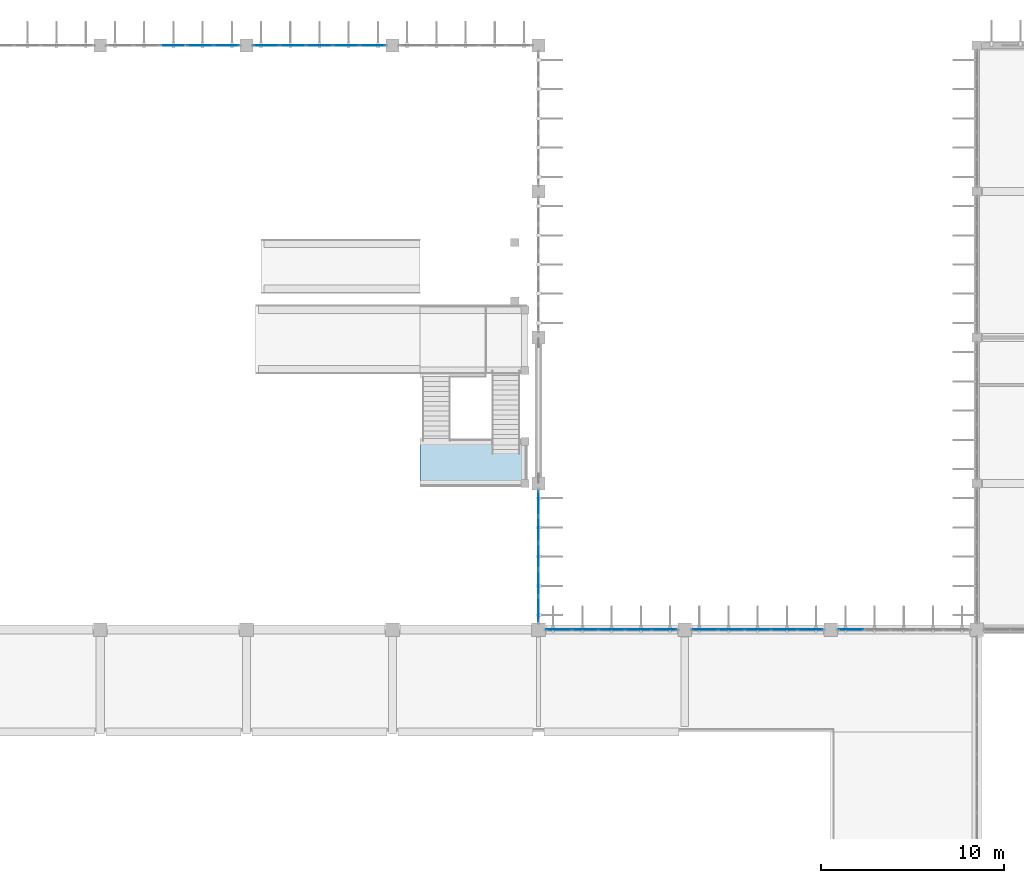
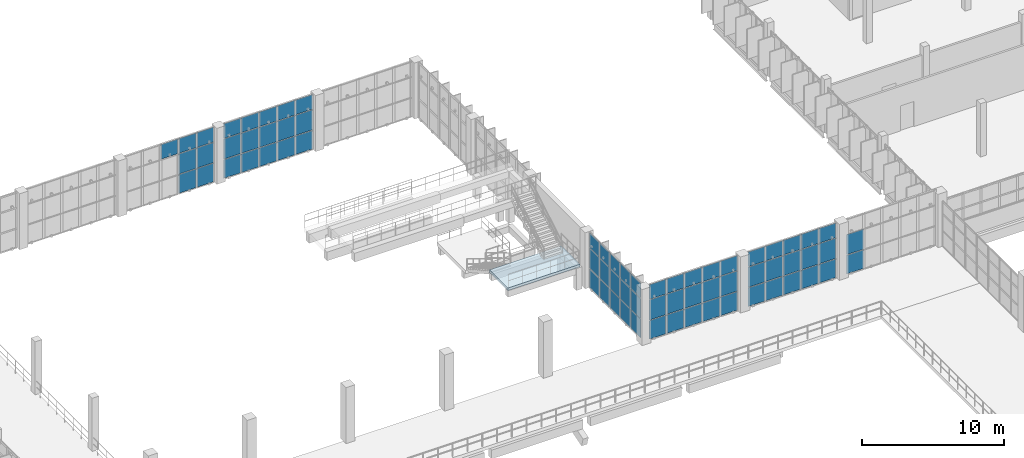
# One storey, part 56 of 93: 69 plates, 1 slab, 7 elements without a shape of their own.
"""IFC4 building model written with IfcOpenShell, lengths in metres."""

from ifc_helpers import new_model, si_unit, direction, frame, origin, origin_2d, place, context, subcontext, project, spatial, polyline, rectangle, outline, extrude, material, layer, layer_set, type_object, element, aggregate, save


model = new_model("IFC4")

# Units and contexts
model_context = context("Model", 3, precision=1e-05, world=origin(), true_north=direction((0.0, 1.0)))
body_context = subcontext(model_context, "Body", "Model", "MODEL_VIEW")
ifc_project = project(units=[si_unit("LENGTHUNIT", "METRE"), si_unit("AREAUNIT", "SQUARE_METRE"), si_unit("VOLUMEUNIT", "CUBIC_METRE"), si_unit("PLANEANGLEUNIT", "RADIAN"), si_unit("MASSUNIT", "GRAM", prefix="KILO")], contexts=[model_context])

# Site, building, storey
site_placement = place(None, origin())
site = spatial("IfcSite", under=ifc_project, at=site_placement, CompositionType="ELEMENT")
building_placement = place(site_placement, origin())
building = spatial("IfcBuilding", under=site, at=building_placement, Name="Drelvana Railside Aquatics Centre", CompositionType="ELEMENT")
storey_placement = place(building_placement, frame((0.0, 0.0, 5.39990234375)))
storey = spatial("IfcBuildingStorey", under=building, at=storey_placement, Name="L01", CompositionType="ELEMENT", Elevation=5.39990234375)

# Curtain wall, plates
ifc_material_1 = material(Name="Bronze-anodised aluminium curtain wall", Category="aluminium")
ifc_layer_1 = layer(ifc_material_1, 0.179931640625, Name="Bronze-anodised aluminium curtain wall")
ifc_layer_set_1 = layer_set([ifc_layer_1], Name="Bronze-anodised aluminium curtain wall")
curtain_wall_type_1 = type_object("IfcCurtainWallType", Name="CW-Z2-CLER", PredefinedType="NOTDEFINED", material=ifc_layer_set_1)
curtain_wall_1_placement = place(storey_placement, origin())
curtain_wall_1 = element("IfcCurtainWall", 1, at=curtain_wall_1_placement, inside=storey, type_object=curtain_wall_type_1, Name="Curtain wall CW-02-021", PredefinedType="NOTDEFINED")
ifc_material_2 = material(Name="Double-glazed low-e solar-control glass", Category="glass")
ifc_layer_2 = layer(ifc_material_2, 0.028076171875, Name="Double-glazed low-e solar-control glass")
ifc_layer_set_2 = layer_set([ifc_layer_2], Name="Double-glazed low-e solar-control glass")
plate_type_1 = type_object("IfcPlateType", Name="CW-Z2-CLER-PAN", PredefinedType="CURTAIN_PANEL", material=ifc_layer_set_2)
plate_1_placement = place(storey_placement, frame((73.11279296875, 84.0, 0.05419921875), z_axis=(0.0, 0.0, 1.0), x_axis=(1.0, 0.0, 0.0)))
plate_1 = element("IfcPlate", 2, at=plate_1_placement, type_object=plate_type_1, Name="CW-02 panel 1.1", PredefinedType="CURTAIN_PANEL", context=body_context, shape_type="SweptSolid", body=[
    extrude(rectangle(XDim=1.357421875, YDim=0.028076171875, at=origin_2d()), origin(), (0.0, 0.0, 1.0), 1.591552734375),
])
plate_2_placement = place(storey_placement, frame((73.11279296875, 84.0, 1.70068359375), z_axis=(0.0, 0.0, 1.0), x_axis=(1.0, 0.0, 0.0)))
plate_2 = element("IfcPlate", 3, at=plate_2_placement, type_object=plate_type_1, Name="CW-02 panel 1.2", PredefinedType="CURTAIN_PANEL", context=body_context, shape_type="SweptSolid", body=[
    extrude(rectangle(XDim=1.357421875, YDim=0.028076171875, at=origin_2d()), origin(), (0.0, 0.0, 1.0), 1.718994140625),
])
plate_3_placement = place(storey_placement, frame((73.11279296875, 84.0, 3.474609375), z_axis=(0.0, 0.0, 1.0), x_axis=(1.0, 0.0, 0.0)))
plate_3 = element("IfcPlate", 4, at=plate_3_placement, type_object=plate_type_1, Name="CW-02 panel 1.3", PredefinedType="CURTAIN_PANEL", context=body_context, shape_type="SweptSolid", body=[
    extrude(rectangle(XDim=1.357421875, YDim=0.028076171875, at=origin_2d()), origin(), (0.0, 0.0, 1.0), 1.255615234375),
])
plate_4_placement = place(storey_placement, frame((74.547607421875, 84.0, 0.05419921875), z_axis=(0.0, 0.0, 1.0), x_axis=(1.0, 0.0, 0.0)))
plate_4 = element("IfcPlate", 5, at=plate_4_placement, type_object=plate_type_1, Name="CW-02 panel 2.1", PredefinedType="CURTAIN_PANEL", context=body_context, shape_type="SweptSolid", body=[
    extrude(rectangle(XDim=1.392333984375, YDim=0.028076171875, at=origin_2d()), origin(), (0.0, 0.0, 1.0), 1.591552734375),
])
plate_5_placement = place(storey_placement, frame((74.547607421875, 84.0, 1.70068359375), z_axis=(0.0, 0.0, 1.0), x_axis=(1.0, 0.0, 0.0)))
plate_5 = element("IfcPlate", 6, at=plate_5_placement, type_object=plate_type_1, Name="CW-02 panel 2.2", PredefinedType="CURTAIN_PANEL", context=body_context, shape_type="SweptSolid", body=[
    extrude(rectangle(XDim=1.392333984375, YDim=0.028076171875, at=origin_2d()), origin(), (0.0, 0.0, 1.0), 1.718994140625),
])
plate_6_placement = place(storey_placement, frame((74.547607421875, 84.0, 3.474609375), z_axis=(0.0, 0.0, 1.0), x_axis=(1.0, 0.0, 0.0)))
plate_6 = element("IfcPlate", 7, at=plate_6_placement, type_object=plate_type_1, Name="CW-02 panel 2.3", PredefinedType="CURTAIN_PANEL", context=body_context, shape_type="SweptSolid", body=[
    extrude(rectangle(XDim=1.392333984375, YDim=0.028076171875, at=origin_2d()), origin(), (0.0, 0.0, 1.0), 1.255615234375),
])
plate_7_placement = place(storey_placement, frame((76.0, 84.0, 0.05419921875), z_axis=(0.0, 0.0, 1.0), x_axis=(1.0, 0.0, 0.0)))
plate_7 = element("IfcPlate", 8, at=plate_7_placement, type_object=plate_type_1, Name="CW-02 panel 3.1", PredefinedType="CURTAIN_PANEL", context=body_context, shape_type="SweptSolid", body=[
    extrude(rectangle(XDim=1.392333984375, YDim=0.028076171875, at=origin_2d()), origin(), (0.0, 0.0, 1.0), 1.591552734375),
])
plate_8_placement = place(storey_placement, frame((76.0, 84.0, 1.70068359375), z_axis=(0.0, 0.0, 1.0), x_axis=(1.0, 0.0, 0.0)))
plate_8 = element("IfcPlate", 9, at=plate_8_placement, type_object=plate_type_1, Name="CW-02 panel 3.2", PredefinedType="CURTAIN_PANEL", context=body_context, shape_type="SweptSolid", body=[
    extrude(rectangle(XDim=1.392333984375, YDim=0.028076171875, at=origin_2d()), origin(), (0.0, 0.0, 1.0), 1.718994140625),
])
plate_9_placement = place(storey_placement, frame((76.0, 84.0, 3.474609375), z_axis=(0.0, 0.0, 1.0), x_axis=(1.0, 0.0, 0.0)))
plate_9 = element("IfcPlate", 10, at=plate_9_placement, type_object=plate_type_1, Name="CW-02 panel 3.3", PredefinedType="CURTAIN_PANEL", context=body_context, shape_type="SweptSolid", body=[
    extrude(rectangle(XDim=1.392333984375, YDim=0.028076171875, at=origin_2d()), origin(), (0.0, 0.0, 1.0), 1.255615234375),
])
plate_10_placement = place(storey_placement, frame((77.452392578125, 84.0, 0.05419921875), z_axis=(0.0, 0.0, 1.0), x_axis=(1.0, 0.0, 0.0)))
plate_10 = element("IfcPlate", 11, at=plate_10_placement, type_object=plate_type_1, Name="CW-02 panel 4.1", PredefinedType="CURTAIN_PANEL", context=body_context, shape_type="SweptSolid", body=[
    extrude(rectangle(XDim=1.392333984375, YDim=0.028076171875, at=origin_2d()), origin(), (0.0, 0.0, 1.0), 1.591552734375),
])
plate_11_placement = place(storey_placement, frame((77.452392578125, 84.0, 1.70068359375), z_axis=(0.0, 0.0, 1.0), x_axis=(1.0, 0.0, 0.0)))
plate_11 = element("IfcPlate", 12, at=plate_11_placement, type_object=plate_type_1, Name="CW-02 panel 4.2", PredefinedType="CURTAIN_PANEL", context=body_context, shape_type="SweptSolid", body=[
    extrude(rectangle(XDim=1.392333984375, YDim=0.028076171875, at=origin_2d()), origin(), (0.0, 0.0, 1.0), 1.718994140625),
])
plate_12_placement = place(storey_placement, frame((77.452392578125, 84.0, 3.474609375), z_axis=(0.0, 0.0, 1.0), x_axis=(1.0, 0.0, 0.0)))
plate_12 = element("IfcPlate", 13, at=plate_12_placement, type_object=plate_type_1, Name="CW-02 panel 4.3", PredefinedType="CURTAIN_PANEL", context=body_context, shape_type="SweptSolid", body=[
    extrude(rectangle(XDim=1.392333984375, YDim=0.028076171875, at=origin_2d()), origin(), (0.0, 0.0, 1.0), 1.255615234375),
])
plate_13_placement = place(storey_placement, frame((78.88720703125, 84.0, 0.05419921875), z_axis=(0.0, 0.0, 1.0), x_axis=(1.0, 0.0, 0.0)))
plate_13 = element("IfcPlate", 14, at=plate_13_placement, type_object=plate_type_1, Name="CW-02 panel 5.1", PredefinedType="CURTAIN_PANEL", context=body_context, shape_type="SweptSolid", body=[
    extrude(rectangle(XDim=1.357421875, YDim=0.028076171875, at=origin_2d()), origin(), (0.0, 0.0, 1.0), 1.591552734375),
])
plate_14_placement = place(storey_placement, frame((78.88720703125, 84.0, 1.70068359375), z_axis=(0.0, 0.0, 1.0), x_axis=(1.0, 0.0, 0.0)))
plate_14 = element("IfcPlate", 15, at=plate_14_placement, type_object=plate_type_1, Name="CW-02 panel 5.2", PredefinedType="CURTAIN_PANEL", context=body_context, shape_type="SweptSolid", body=[
    extrude(rectangle(XDim=1.357421875, YDim=0.028076171875, at=origin_2d()), origin(), (0.0, 0.0, 1.0), 1.718994140625),
])
plate_15_placement = place(storey_placement, frame((78.88720703125, 84.0, 3.474609375), z_axis=(0.0, 0.0, 1.0), x_axis=(1.0, 0.0, 0.0)))
plate_15 = element("IfcPlate", 16, at=plate_15_placement, type_object=plate_type_1, Name="CW-02 panel 5.3", PredefinedType="CURTAIN_PANEL", context=body_context, shape_type="SweptSolid", body=[
    extrude(rectangle(XDim=1.357421875, YDim=0.028076171875, at=origin_2d()), origin(), (0.0, 0.0, 1.0), 1.255615234375),
])
aggregate(curtain_wall_1, [plate_1, plate_2, plate_3, plate_4, plate_5, plate_6, plate_7, plate_8, plate_9, plate_10, plate_11, plate_12, plate_13, plate_14, plate_15])

curtain_wall_2_placement = place(storey_placement, origin())
curtain_wall_2 = element("IfcCurtainWall", 17, at=curtain_wall_2_placement, inside=storey, type_object=curtain_wall_type_1, Name="Curtain wall CW-02-024", PredefinedType="NOTDEFINED")
plate_16_placement = place(storey_placement, frame((81.11279296875, 84.0, 0.05419921875), z_axis=(0.0, 0.0, 1.0), x_axis=(1.0, 0.0, 0.0)))
plate_16 = element("IfcPlate", 18, at=plate_16_placement, type_object=plate_type_1, Name="CW-02 panel 1.1", PredefinedType="CURTAIN_PANEL", context=body_context, shape_type="SweptSolid", body=[
    extrude(rectangle(XDim=1.357421875, YDim=0.028076171875, at=origin_2d()), origin(), (0.0, 0.0, 1.0), 1.591552734375),
])
plate_17_placement = place(storey_placement, frame((81.11279296875, 84.0, 1.70068359375), z_axis=(0.0, 0.0, 1.0), x_axis=(1.0, 0.0, 0.0)))
plate_17 = element("IfcPlate", 19, at=plate_17_placement, type_object=plate_type_1, Name="CW-02 panel 1.2", PredefinedType="CURTAIN_PANEL", context=body_context, shape_type="SweptSolid", body=[
    extrude(rectangle(XDim=1.357421875, YDim=0.028076171875, at=origin_2d()), origin(), (0.0, 0.0, 1.0), 1.718994140625),
])
plate_18_placement = place(storey_placement, frame((81.11279296875, 84.0, 3.474609375), z_axis=(0.0, 0.0, 1.0), x_axis=(1.0, 0.0, 0.0)))
plate_18 = element("IfcPlate", 20, at=plate_18_placement, type_object=plate_type_1, Name="CW-02 panel 1.3", PredefinedType="CURTAIN_PANEL", context=body_context, shape_type="SweptSolid", body=[
    extrude(rectangle(XDim=1.357421875, YDim=0.028076171875, at=origin_2d()), origin(), (0.0, 0.0, 1.0), 1.255615234375),
])
plate_19_placement = place(storey_placement, frame((82.547607421875, 84.0, 0.05419921875), z_axis=(0.0, 0.0, 1.0), x_axis=(1.0, 0.0, 0.0)))
plate_19 = element("IfcPlate", 21, at=plate_19_placement, type_object=plate_type_1, Name="CW-02 panel 2.1", PredefinedType="CURTAIN_PANEL", context=body_context, shape_type="SweptSolid", body=[
    extrude(rectangle(XDim=1.392333984375, YDim=0.028076171875, at=origin_2d()), origin(), (0.0, 0.0, 1.0), 1.591552734375),
])
plate_20_placement = place(storey_placement, frame((82.547607421875, 84.0, 1.70068359375), z_axis=(0.0, 0.0, 1.0), x_axis=(1.0, 0.0, 0.0)))
plate_20 = element("IfcPlate", 22, at=plate_20_placement, type_object=plate_type_1, Name="CW-02 panel 2.2", PredefinedType="CURTAIN_PANEL", context=body_context, shape_type="SweptSolid", body=[
    extrude(rectangle(XDim=1.392333984375, YDim=0.028076171875, at=origin_2d()), origin(), (0.0, 0.0, 1.0), 1.718994140625),
])
plate_21_placement = place(storey_placement, frame((82.547607421875, 84.0, 3.474609375), z_axis=(0.0, 0.0, 1.0), x_axis=(1.0, 0.0, 0.0)))
plate_21 = element("IfcPlate", 23, at=plate_21_placement, type_object=plate_type_1, Name="CW-02 panel 2.3", PredefinedType="CURTAIN_PANEL", context=body_context, shape_type="SweptSolid", body=[
    extrude(rectangle(XDim=1.392333984375, YDim=0.028076171875, at=origin_2d()), origin(), (0.0, 0.0, 1.0), 1.255615234375),
])
plate_22_placement = place(storey_placement, frame((84.0, 84.0, 0.05419921875), z_axis=(0.0, 0.0, 1.0), x_axis=(1.0, 0.0, 0.0)))
plate_22 = element("IfcPlate", 24, at=plate_22_placement, type_object=plate_type_1, Name="CW-02 panel 3.1", PredefinedType="CURTAIN_PANEL", context=body_context, shape_type="SweptSolid", body=[
    extrude(rectangle(XDim=1.392333984375, YDim=0.028076171875, at=origin_2d()), origin(), (0.0, 0.0, 1.0), 1.591552734375),
])
plate_23_placement = place(storey_placement, frame((84.0, 84.0, 1.70068359375), z_axis=(0.0, 0.0, 1.0), x_axis=(1.0, 0.0, 0.0)))
plate_23 = element("IfcPlate", 25, at=plate_23_placement, type_object=plate_type_1, Name="CW-02 panel 3.2", PredefinedType="CURTAIN_PANEL", context=body_context, shape_type="SweptSolid", body=[
    extrude(rectangle(XDim=1.392333984375, YDim=0.028076171875, at=origin_2d()), origin(), (0.0, 0.0, 1.0), 1.718994140625),
])
plate_24_placement = place(storey_placement, frame((84.0, 84.0, 3.474609375), z_axis=(0.0, 0.0, 1.0), x_axis=(1.0, 0.0, 0.0)))
plate_24 = element("IfcPlate", 26, at=plate_24_placement, type_object=plate_type_1, Name="CW-02 panel 3.3", PredefinedType="CURTAIN_PANEL", context=body_context, shape_type="SweptSolid", body=[
    extrude(rectangle(XDim=1.392333984375, YDim=0.028076171875, at=origin_2d()), origin(), (0.0, 0.0, 1.0), 1.255615234375),
])
plate_25_placement = place(storey_placement, frame((85.452392578125, 84.0, 0.05419921875), z_axis=(0.0, 0.0, 1.0), x_axis=(1.0, 0.0, 0.0)))
plate_25 = element("IfcPlate", 27, at=plate_25_placement, type_object=plate_type_1, Name="CW-02 panel 4.1", PredefinedType="CURTAIN_PANEL", context=body_context, shape_type="SweptSolid", body=[
    extrude(rectangle(XDim=1.392333984375, YDim=0.028076171875, at=origin_2d()), origin(), (0.0, 0.0, 1.0), 1.591552734375),
])
plate_26_placement = place(storey_placement, frame((85.452392578125, 84.0, 1.70068359375), z_axis=(0.0, 0.0, 1.0), x_axis=(1.0, 0.0, 0.0)))
plate_26 = element("IfcPlate", 28, at=plate_26_placement, type_object=plate_type_1, Name="CW-02 panel 4.2", PredefinedType="CURTAIN_PANEL", context=body_context, shape_type="SweptSolid", body=[
    extrude(rectangle(XDim=1.392333984375, YDim=0.028076171875, at=origin_2d()), origin(), (0.0, 0.0, 1.0), 1.718994140625),
])
plate_27_placement = place(storey_placement, frame((85.452392578125, 84.0, 3.474609375), z_axis=(0.0, 0.0, 1.0), x_axis=(1.0, 0.0, 0.0)))
plate_27 = element("IfcPlate", 29, at=plate_27_placement, type_object=plate_type_1, Name="CW-02 panel 4.3", PredefinedType="CURTAIN_PANEL", context=body_context, shape_type="SweptSolid", body=[
    extrude(rectangle(XDim=1.392333984375, YDim=0.028076171875, at=origin_2d()), origin(), (0.0, 0.0, 1.0), 1.255615234375),
])
plate_28_placement = place(storey_placement, frame((86.88720703125, 84.0, 0.05419921875), z_axis=(0.0, 0.0, 1.0), x_axis=(1.0, 0.0, 0.0)))
plate_28 = element("IfcPlate", 30, at=plate_28_placement, type_object=plate_type_1, Name="CW-02 panel 5.1", PredefinedType="CURTAIN_PANEL", context=body_context, shape_type="SweptSolid", body=[
    extrude(rectangle(XDim=1.357421875, YDim=0.028076171875, at=origin_2d()), origin(), (0.0, 0.0, 1.0), 1.591552734375),
])
plate_29_placement = place(storey_placement, frame((86.88720703125, 84.0, 1.70068359375), z_axis=(0.0, 0.0, 1.0), x_axis=(1.0, 0.0, 0.0)))
plate_29 = element("IfcPlate", 31, at=plate_29_placement, type_object=plate_type_1, Name="CW-02 panel 5.2", PredefinedType="CURTAIN_PANEL", context=body_context, shape_type="SweptSolid", body=[
    extrude(rectangle(XDim=1.357421875, YDim=0.028076171875, at=origin_2d()), origin(), (0.0, 0.0, 1.0), 1.718994140625),
])
plate_30_placement = place(storey_placement, frame((86.88720703125, 84.0, 3.474609375), z_axis=(0.0, 0.0, 1.0), x_axis=(1.0, 0.0, 0.0)))
plate_30 = element("IfcPlate", 32, at=plate_30_placement, type_object=plate_type_1, Name="CW-02 panel 5.3", PredefinedType="CURTAIN_PANEL", context=body_context, shape_type="SweptSolid", body=[
    extrude(rectangle(XDim=1.357421875, YDim=0.028076171875, at=origin_2d()), origin(), (0.0, 0.0, 1.0), 1.255615234375),
])
aggregate(curtain_wall_2, [plate_16, plate_17, plate_18, plate_19, plate_20, plate_21, plate_22, plate_23, plate_24, plate_25, plate_26, plate_27, plate_28, plate_29, plate_30])

curtain_wall_3_placement = place(storey_placement, origin())
curtain_wall_3 = element("IfcCurtainWall", 33, at=curtain_wall_3_placement, inside=storey, type_object=curtain_wall_type_1, Name="Curtain wall CW-02-026", PredefinedType="NOTDEFINED")
plate_31_placement = place(storey_placement, frame((89.11279296875, 84.0, 0.05419921875), z_axis=(0.0, 0.0, 1.0), x_axis=(1.0, 0.0, 0.0)))
plate_31 = element("IfcPlate", 34, at=plate_31_placement, type_object=plate_type_1, Name="CW-02 panel 1.1", PredefinedType="CURTAIN_PANEL", context=body_context, shape_type="SweptSolid", body=[
    extrude(rectangle(XDim=1.357421875, YDim=0.028076171875, at=origin_2d()), origin(), (0.0, 0.0, 1.0), 1.591552734375),
])
plate_32_placement = place(storey_placement, frame((89.11279296875, 84.0, 1.70068359375), z_axis=(0.0, 0.0, 1.0), x_axis=(1.0, 0.0, 0.0)))
plate_32 = element("IfcPlate", 35, at=plate_32_placement, type_object=plate_type_1, Name="CW-02 panel 1.2", PredefinedType="CURTAIN_PANEL", context=body_context, shape_type="SweptSolid", body=[
    extrude(rectangle(XDim=1.357421875, YDim=0.028076171875, at=origin_2d()), origin(), (0.0, 0.0, 1.0), 1.718994140625),
])
aggregate(curtain_wall_3, [plate_31, plate_32])

curtain_wall_4_placement = place(storey_placement, origin())
curtain_wall_4 = element("IfcCurtainWall", 36, at=curtain_wall_4_placement, inside=storey, type_object=curtain_wall_type_1, Name="Curtain wall CW-02-035", PredefinedType="NOTDEFINED")
plate_33_placement = place(storey_placement, frame((52.0, 116.0, 3.474609375), z_axis=(0.0, 0.0, 1.0), x_axis=(1.0, 0.0, 0.0)))
plate_33 = element("IfcPlate", 37, at=plate_33_placement, type_object=plate_type_1, Name="CW-02 panel 3.3", PredefinedType="CURTAIN_PANEL", context=body_context, shape_type="SweptSolid", body=[
    extrude(rectangle(XDim=1.40234375, YDim=0.028076171875, at=origin_2d()), origin(), (0.0, 0.0, 1.0), 1.255615234375),
])
plate_34_placement = place(storey_placement, frame((53.46240234375, 116.0, 0.05419921875), z_axis=(0.0, 0.0, 1.0), x_axis=(1.0, 0.0, 0.0)))
plate_34 = element("IfcPlate", 38, at=plate_34_placement, type_object=plate_type_1, Name="CW-02 panel 4.1", PredefinedType="CURTAIN_PANEL", context=body_context, shape_type="SweptSolid", body=[
    extrude(rectangle(XDim=1.40234375, YDim=0.028076171875, at=origin_2d()), origin(), (0.0, 0.0, 1.0), 1.591552734375),
])
plate_35_placement = place(storey_placement, frame((53.46240234375, 116.0, 1.70068359375), z_axis=(0.0, 0.0, 1.0), x_axis=(1.0, 0.0, 0.0)))
plate_35 = element("IfcPlate", 39, at=plate_35_placement, type_object=plate_type_1, Name="CW-02 panel 4.2", PredefinedType="CURTAIN_PANEL", context=body_context, shape_type="SweptSolid", body=[
    extrude(rectangle(XDim=1.40234375, YDim=0.028076171875, at=origin_2d()), origin(), (0.0, 0.0, 1.0), 1.718994140625),
])
plate_36_placement = place(storey_placement, frame((53.46240234375, 116.0, 3.474609375), z_axis=(0.0, 0.0, 1.0), x_axis=(1.0, 0.0, 0.0)))
plate_36 = element("IfcPlate", 40, at=plate_36_placement, type_object=plate_type_1, Name="CW-02 panel 4.3", PredefinedType="CURTAIN_PANEL", context=body_context, shape_type="SweptSolid", body=[
    extrude(rectangle(XDim=1.40234375, YDim=0.028076171875, at=origin_2d()), origin(), (0.0, 0.0, 1.0), 1.255615234375),
])
plate_37_placement = place(storey_placement, frame((54.9072265625, 116.0, 0.05419921875), z_axis=(0.0, 0.0, 1.0), x_axis=(1.0, 0.0, 0.0)))
plate_37 = element("IfcPlate", 41, at=plate_37_placement, type_object=plate_type_1, Name="CW-02 panel 5.1", PredefinedType="CURTAIN_PANEL", context=body_context, shape_type="SweptSolid", body=[
    extrude(rectangle(XDim=1.367431640625, YDim=0.028076171875, at=origin_2d()), origin(), (0.0, 0.0, 1.0), 1.591552734375),
])
plate_38_placement = place(storey_placement, frame((54.9072265625, 116.0, 1.70068359375), z_axis=(0.0, 0.0, 1.0), x_axis=(1.0, 0.0, 0.0)))
plate_38 = element("IfcPlate", 42, at=plate_38_placement, type_object=plate_type_1, Name="CW-02 panel 5.2", PredefinedType="CURTAIN_PANEL", context=body_context, shape_type="SweptSolid", body=[
    extrude(rectangle(XDim=1.367431640625, YDim=0.028076171875, at=origin_2d()), origin(), (0.0, 0.0, 1.0), 1.718994140625),
])
plate_39_placement = place(storey_placement, frame((54.9072265625, 116.0, 3.474609375), z_axis=(0.0, 0.0, 1.0), x_axis=(1.0, 0.0, 0.0)))
plate_39 = element("IfcPlate", 43, at=plate_39_placement, type_object=plate_type_1, Name="CW-02 panel 5.3", PredefinedType="CURTAIN_PANEL", context=body_context, shape_type="SweptSolid", body=[
    extrude(rectangle(XDim=1.367431640625, YDim=0.028076171875, at=origin_2d()), origin(), (0.0, 0.0, 1.0), 1.255615234375),
])
aggregate(curtain_wall_4, [plate_33, plate_34, plate_35, plate_36, plate_37, plate_38, plate_39])

curtain_wall_5_placement = place(storey_placement, origin())
curtain_wall_5 = element("IfcCurtainWall", 44, at=curtain_wall_5_placement, inside=storey, type_object=curtain_wall_type_1, Name="Curtain wall CW-02-038", PredefinedType="NOTDEFINED")
plate_40_placement = place(storey_placement, frame((57.0927734375, 116.0, 0.05419921875), z_axis=(0.0, 0.0, 1.0), x_axis=(1.0, 0.0, 0.0)))
plate_40 = element("IfcPlate", 45, at=plate_40_placement, type_object=plate_type_1, Name="CW-02 panel 1.1", PredefinedType="CURTAIN_PANEL", context=body_context, shape_type="SweptSolid", body=[
    extrude(rectangle(XDim=1.367431640625, YDim=0.028076171875, at=origin_2d()), origin(), (0.0, 0.0, 1.0), 1.591552734375),
])
plate_41_placement = place(storey_placement, frame((57.0927734375, 116.0, 1.70068359375), z_axis=(0.0, 0.0, 1.0), x_axis=(1.0, 0.0, 0.0)))
plate_41 = element("IfcPlate", 46, at=plate_41_placement, type_object=plate_type_1, Name="CW-02 panel 1.2", PredefinedType="CURTAIN_PANEL", context=body_context, shape_type="SweptSolid", body=[
    extrude(rectangle(XDim=1.367431640625, YDim=0.028076171875, at=origin_2d()), origin(), (0.0, 0.0, 1.0), 1.718994140625),
])
plate_42_placement = place(storey_placement, frame((57.0927734375, 116.0, 3.474609375), z_axis=(0.0, 0.0, 1.0), x_axis=(1.0, 0.0, 0.0)))
plate_42 = element("IfcPlate", 47, at=plate_42_placement, type_object=plate_type_1, Name="CW-02 panel 1.3", PredefinedType="CURTAIN_PANEL", context=body_context, shape_type="SweptSolid", body=[
    extrude(rectangle(XDim=1.367431640625, YDim=0.028076171875, at=origin_2d()), origin(), (0.0, 0.0, 1.0), 1.255615234375),
])
plate_43_placement = place(storey_placement, frame((58.53759765625, 116.0, 0.05419921875), z_axis=(0.0, 0.0, 1.0), x_axis=(1.0, 0.0, 0.0)))
plate_43 = element("IfcPlate", 48, at=plate_43_placement, type_object=plate_type_1, Name="CW-02 panel 2.1", PredefinedType="CURTAIN_PANEL", context=body_context, shape_type="SweptSolid", body=[
    extrude(rectangle(XDim=1.40234375, YDim=0.028076171875, at=origin_2d()), origin(), (0.0, 0.0, 1.0), 1.591552734375),
])
plate_44_placement = place(storey_placement, frame((58.53759765625, 116.0, 1.70068359375), z_axis=(0.0, 0.0, 1.0), x_axis=(1.0, 0.0, 0.0)))
plate_44 = element("IfcPlate", 49, at=plate_44_placement, type_object=plate_type_1, Name="CW-02 panel 2.2", PredefinedType="CURTAIN_PANEL", context=body_context, shape_type="SweptSolid", body=[
    extrude(rectangle(XDim=1.40234375, YDim=0.028076171875, at=origin_2d()), origin(), (0.0, 0.0, 1.0), 1.718994140625),
])
plate_45_placement = place(storey_placement, frame((58.53759765625, 116.0, 3.474609375), z_axis=(0.0, 0.0, 1.0), x_axis=(1.0, 0.0, 0.0)))
plate_45 = element("IfcPlate", 50, at=plate_45_placement, type_object=plate_type_1, Name="CW-02 panel 2.3", PredefinedType="CURTAIN_PANEL", context=body_context, shape_type="SweptSolid", body=[
    extrude(rectangle(XDim=1.40234375, YDim=0.028076171875, at=origin_2d()), origin(), (0.0, 0.0, 1.0), 1.255615234375),
])
plate_46_placement = place(storey_placement, frame((60.0, 116.0, 0.05419921875), z_axis=(0.0, 0.0, 1.0), x_axis=(1.0, 0.0, 0.0)))
plate_46 = element("IfcPlate", 51, at=plate_46_placement, type_object=plate_type_1, Name="CW-02 panel 3.1", PredefinedType="CURTAIN_PANEL", context=body_context, shape_type="SweptSolid", body=[
    extrude(rectangle(XDim=1.40234375, YDim=0.028076171875, at=origin_2d()), origin(), (0.0, 0.0, 1.0), 1.591552734375),
])
plate_47_placement = place(storey_placement, frame((60.0, 116.0, 1.70068359375), z_axis=(0.0, 0.0, 1.0), x_axis=(1.0, 0.0, 0.0)))
plate_47 = element("IfcPlate", 52, at=plate_47_placement, type_object=plate_type_1, Name="CW-02 panel 3.2", PredefinedType="CURTAIN_PANEL", context=body_context, shape_type="SweptSolid", body=[
    extrude(rectangle(XDim=1.40234375, YDim=0.028076171875, at=origin_2d()), origin(), (0.0, 0.0, 1.0), 1.718994140625),
])
plate_48_placement = place(storey_placement, frame((60.0, 116.0, 3.474609375), z_axis=(0.0, 0.0, 1.0), x_axis=(1.0, 0.0, 0.0)))
plate_48 = element("IfcPlate", 53, at=plate_48_placement, type_object=plate_type_1, Name="CW-02 panel 3.3", PredefinedType="CURTAIN_PANEL", context=body_context, shape_type="SweptSolid", body=[
    extrude(rectangle(XDim=1.40234375, YDim=0.028076171875, at=origin_2d()), origin(), (0.0, 0.0, 1.0), 1.255615234375),
])
plate_49_placement = place(storey_placement, frame((61.46240234375, 116.0, 0.05419921875), z_axis=(0.0, 0.0, 1.0), x_axis=(1.0, 0.0, 0.0)))
plate_49 = element("IfcPlate", 54, at=plate_49_placement, type_object=plate_type_1, Name="CW-02 panel 4.1", PredefinedType="CURTAIN_PANEL", context=body_context, shape_type="SweptSolid", body=[
    extrude(rectangle(XDim=1.40234375, YDim=0.028076171875, at=origin_2d()), origin(), (0.0, 0.0, 1.0), 1.591552734375),
])
plate_50_placement = place(storey_placement, frame((61.46240234375, 116.0, 1.70068359375), z_axis=(0.0, 0.0, 1.0), x_axis=(1.0, 0.0, 0.0)))
plate_50 = element("IfcPlate", 55, at=plate_50_placement, type_object=plate_type_1, Name="CW-02 panel 4.2", PredefinedType="CURTAIN_PANEL", context=body_context, shape_type="SweptSolid", body=[
    extrude(rectangle(XDim=1.40234375, YDim=0.028076171875, at=origin_2d()), origin(), (0.0, 0.0, 1.0), 1.718994140625),
])
plate_51_placement = place(storey_placement, frame((61.46240234375, 116.0, 3.474609375), z_axis=(0.0, 0.0, 1.0), x_axis=(1.0, 0.0, 0.0)))
plate_51 = element("IfcPlate", 56, at=plate_51_placement, type_object=plate_type_1, Name="CW-02 panel 4.3", PredefinedType="CURTAIN_PANEL", context=body_context, shape_type="SweptSolid", body=[
    extrude(rectangle(XDim=1.40234375, YDim=0.028076171875, at=origin_2d()), origin(), (0.0, 0.0, 1.0), 1.255615234375),
])
plate_52_placement = place(storey_placement, frame((62.9072265625, 116.0, 0.05419921875), z_axis=(0.0, 0.0, 1.0), x_axis=(1.0, 0.0, 0.0)))
plate_52 = element("IfcPlate", 57, at=plate_52_placement, type_object=plate_type_1, Name="CW-02 panel 5.1", PredefinedType="CURTAIN_PANEL", context=body_context, shape_type="SweptSolid", body=[
    extrude(rectangle(XDim=1.367431640625, YDim=0.028076171875, at=origin_2d()), origin(), (0.0, 0.0, 1.0), 1.591552734375),
])
plate_53_placement = place(storey_placement, frame((62.9072265625, 116.0, 1.70068359375), z_axis=(0.0, 0.0, 1.0), x_axis=(1.0, 0.0, 0.0)))
plate_53 = element("IfcPlate", 58, at=plate_53_placement, type_object=plate_type_1, Name="CW-02 panel 5.2", PredefinedType="CURTAIN_PANEL", context=body_context, shape_type="SweptSolid", body=[
    extrude(rectangle(XDim=1.367431640625, YDim=0.028076171875, at=origin_2d()), origin(), (0.0, 0.0, 1.0), 1.718994140625),
])
plate_54_placement = place(storey_placement, frame((62.9072265625, 116.0, 3.474609375), z_axis=(0.0, 0.0, 1.0), x_axis=(1.0, 0.0, 0.0)))
plate_54 = element("IfcPlate", 59, at=plate_54_placement, type_object=plate_type_1, Name="CW-02 panel 5.3", PredefinedType="CURTAIN_PANEL", context=body_context, shape_type="SweptSolid", body=[
    extrude(rectangle(XDim=1.367431640625, YDim=0.028076171875, at=origin_2d()), origin(), (0.0, 0.0, 1.0), 1.255615234375),
])
aggregate(curtain_wall_5, [plate_40, plate_41, plate_42, plate_43, plate_44, plate_45, plate_46, plate_47, plate_48, plate_49, plate_50, plate_51, plate_52, plate_53, plate_54])

ifc_layer_3 = layer(ifc_material_1, 0.2099609375, Name="Bronze-anodised aluminium curtain wall")
ifc_layer_set_3 = layer_set([ifc_layer_3], Name="Bronze-anodised aluminium curtain wall")
curtain_wall_type_2 = type_object("IfcCurtainWallType", Name="CW-Z7-DIVE", PredefinedType="NOTDEFINED", material=ifc_layer_set_3)
curtain_wall_6_placement = place(storey_placement, origin())
curtain_wall_6 = element("IfcCurtainWall", 60, at=curtain_wall_6_placement, inside=storey, type_object=curtain_wall_type_2, Name="Curtain wall CW-07-091", PredefinedType="NOTDEFINED")
ifc_layer_4 = layer(ifc_material_2, 0.033935546875, Name="Double-glazed low-e solar-control glass")
ifc_layer_set_4 = layer_set([ifc_layer_4], Name="Double-glazed low-e solar-control glass")
plate_type_2 = type_object("IfcPlateType", Name="CW-Z7-DIVE-PAN", PredefinedType="CURTAIN_PANEL", material=ifc_layer_set_4)
plate_55_placement = place(storey_placement, frame((72.0, 85.11767578125, 0.05908203125), z_axis=(0.0, 0.0, 1.0), x_axis=(0.0, 1.0, 0.0)))
plate_55 = element("IfcPlate", 61, at=plate_55_placement, type_object=plate_type_2, Name="CW-07 panel 1.1", PredefinedType="CURTAIN_PANEL", context=body_context, shape_type="SweptSolid", body=[
    extrude(rectangle(XDim=1.347412109375, YDim=0.033935546875, at=origin_2d()), origin(), (0.0, 0.0, 1.0), 1.583984375),
])
plate_56_placement = place(storey_placement, frame((72.0, 85.11767578125, 1.703125), z_axis=(0.0, 0.0, 1.0), x_axis=(0.0, 1.0, 0.0)))
plate_56 = element("IfcPlate", 62, at=plate_56_placement, type_object=plate_type_2, Name="CW-07 panel 1.2", PredefinedType="CURTAIN_PANEL", context=body_context, shape_type="SweptSolid", body=[
    extrude(rectangle(XDim=1.347412109375, YDim=0.033935546875, at=origin_2d()), origin(), (0.0, 0.0, 1.0), 1.714111328125),
])
plate_57_placement = place(storey_placement, frame((72.0, 85.11767578125, 3.47705078125), z_axis=(0.0, 0.0, 1.0), x_axis=(0.0, 1.0, 0.0)))
plate_57 = element("IfcPlate", 63, at=plate_57_placement, type_object=plate_type_2, Name="CW-07 panel 1.3", PredefinedType="CURTAIN_PANEL", context=body_context, shape_type="SweptSolid", body=[
    extrude(rectangle(XDim=1.347412109375, YDim=0.033935546875, at=origin_2d()), origin(), (0.0, 0.0, 1.0), 1.248046875),
])
plate_58_placement = place(storey_placement, frame((72.0, 86.55517578125, 0.05908203125), z_axis=(0.0, 0.0, 1.0), x_axis=(0.0, 1.0, 0.0)))
plate_58 = element("IfcPlate", 64, at=plate_58_placement, type_object=plate_type_2, Name="CW-07 panel 2.1", PredefinedType="CURTAIN_PANEL", context=body_context, shape_type="SweptSolid", body=[
    extrude(rectangle(XDim=1.387451171875, YDim=0.033935546875, at=origin_2d()), origin(), (0.0, 0.0, 1.0), 1.583984375),
])
plate_59_placement = place(storey_placement, frame((72.0, 86.55517578125, 1.703125), z_axis=(0.0, 0.0, 1.0), x_axis=(0.0, 1.0, 0.0)))
plate_59 = element("IfcPlate", 65, at=plate_59_placement, type_object=plate_type_2, Name="CW-07 panel 2.2", PredefinedType="CURTAIN_PANEL", context=body_context, shape_type="SweptSolid", body=[
    extrude(rectangle(XDim=1.387451171875, YDim=0.033935546875, at=origin_2d()), origin(), (0.0, 0.0, 1.0), 1.714111328125),
])
plate_60_placement = place(storey_placement, frame((72.0, 86.55517578125, 3.47705078125), z_axis=(0.0, 0.0, 1.0), x_axis=(0.0, 1.0, 0.0)))
plate_60 = element("IfcPlate", 66, at=plate_60_placement, type_object=plate_type_2, Name="CW-07 panel 2.3", PredefinedType="CURTAIN_PANEL", context=body_context, shape_type="SweptSolid", body=[
    extrude(rectangle(XDim=1.387451171875, YDim=0.033935546875, at=origin_2d()), origin(), (0.0, 0.0, 1.0), 1.248046875),
])
plate_61_placement = place(storey_placement, frame((72.0, 88.012451171875, 0.05908203125), z_axis=(0.0, 0.0, 1.0), x_axis=(0.0, 1.0, 0.0)))
plate_61 = element("IfcPlate", 67, at=plate_61_placement, type_object=plate_type_2, Name="CW-07 panel 3.1", PredefinedType="CURTAIN_PANEL", context=body_context, shape_type="SweptSolid", body=[
    extrude(rectangle(XDim=1.387451171875, YDim=0.033935546875, at=origin_2d()), origin(), (0.0, 0.0, 1.0), 1.583984375),
])
plate_62_placement = place(storey_placement, frame((72.0, 88.012451171875, 1.703125), z_axis=(0.0, 0.0, 1.0), x_axis=(0.0, 1.0, 0.0)))
plate_62 = element("IfcPlate", 68, at=plate_62_placement, type_object=plate_type_2, Name="CW-07 panel 3.2", PredefinedType="CURTAIN_PANEL", context=body_context, shape_type="SweptSolid", body=[
    extrude(rectangle(XDim=1.387451171875, YDim=0.033935546875, at=origin_2d()), origin(), (0.0, 0.0, 1.0), 1.714111328125),
])
plate_63_placement = place(storey_placement, frame((72.0, 88.012451171875, 3.47705078125), z_axis=(0.0, 0.0, 1.0), x_axis=(0.0, 1.0, 0.0)))
plate_63 = element("IfcPlate", 69, at=plate_63_placement, type_object=plate_type_2, Name="CW-07 panel 3.3", PredefinedType="CURTAIN_PANEL", context=body_context, shape_type="SweptSolid", body=[
    extrude(rectangle(XDim=1.387451171875, YDim=0.033935546875, at=origin_2d()), origin(), (0.0, 0.0, 1.0), 1.248046875),
])
plate_64_placement = place(storey_placement, frame((72.0, 89.469970703125, 0.05908203125), z_axis=(0.0, 0.0, 1.0), x_axis=(0.0, 1.0, 0.0)))
plate_64 = element("IfcPlate", 70, at=plate_64_placement, type_object=plate_type_2, Name="CW-07 panel 4.1", PredefinedType="CURTAIN_PANEL", context=body_context, shape_type="SweptSolid", body=[
    extrude(rectangle(XDim=1.387451171875, YDim=0.033935546875, at=origin_2d()), origin(), (0.0, 0.0, 1.0), 1.583984375),
])
plate_65_placement = place(storey_placement, frame((72.0, 89.469970703125, 1.703125), z_axis=(0.0, 0.0, 1.0), x_axis=(0.0, 1.0, 0.0)))
plate_65 = element("IfcPlate", 71, at=plate_65_placement, type_object=plate_type_2, Name="CW-07 panel 4.2", PredefinedType="CURTAIN_PANEL", context=body_context, shape_type="SweptSolid", body=[
    extrude(rectangle(XDim=1.387451171875, YDim=0.033935546875, at=origin_2d()), origin(), (0.0, 0.0, 1.0), 1.714111328125),
])
plate_66_placement = place(storey_placement, frame((72.0, 89.469970703125, 3.47705078125), z_axis=(0.0, 0.0, 1.0), x_axis=(0.0, 1.0, 0.0)))
plate_66 = element("IfcPlate", 72, at=plate_66_placement, type_object=plate_type_2, Name="CW-07 panel 4.3", PredefinedType="CURTAIN_PANEL", context=body_context, shape_type="SweptSolid", body=[
    extrude(rectangle(XDim=1.387451171875, YDim=0.033935546875, at=origin_2d()), origin(), (0.0, 0.0, 1.0), 1.248046875),
])
plate_67_placement = place(storey_placement, frame((72.0, 90.9072265625, 0.05908203125), z_axis=(0.0, 0.0, 1.0), x_axis=(0.0, 1.0, 0.0)))
plate_67 = element("IfcPlate", 73, at=plate_67_placement, type_object=plate_type_2, Name="CW-07 panel 5.1", PredefinedType="CURTAIN_PANEL", context=body_context, shape_type="SweptSolid", body=[
    extrude(rectangle(XDim=1.347412109375, YDim=0.033935546875, at=origin_2d()), origin(), (0.0, 0.0, 1.0), 1.583984375),
])
plate_68_placement = place(storey_placement, frame((72.0, 90.9072265625, 1.703125), z_axis=(0.0, 0.0, 1.0), x_axis=(0.0, 1.0, 0.0)))
plate_68 = element("IfcPlate", 74, at=plate_68_placement, type_object=plate_type_2, Name="CW-07 panel 5.2", PredefinedType="CURTAIN_PANEL", context=body_context, shape_type="SweptSolid", body=[
    extrude(rectangle(XDim=1.347412109375, YDim=0.033935546875, at=origin_2d()), origin(), (0.0, 0.0, 1.0), 1.714111328125),
])
plate_69_placement = place(storey_placement, frame((72.0, 90.9072265625, 3.47705078125), z_axis=(0.0, 0.0, 1.0), x_axis=(0.0, 1.0, 0.0)))
plate_69 = element("IfcPlate", 75, at=plate_69_placement, type_object=plate_type_2, Name="CW-07 panel 5.3", PredefinedType="CURTAIN_PANEL", context=body_context, shape_type="SweptSolid", body=[
    extrude(rectangle(XDim=1.347412109375, YDim=0.033935546875, at=origin_2d()), origin(), (0.0, 0.0, 1.0), 1.248046875),
])
aggregate(curtain_wall_6, [plate_55, plate_56, plate_57, plate_58, plate_59, plate_60, plate_61, plate_62, plate_63, plate_64, plate_65, plate_66, plate_67, plate_68, plate_69])

# Stair, slab
ifc_material_3 = material(Name="Concrete C40/50", Category="concrete")
stair_type = type_object("IfcStairType", Name="ST-DIVE-2", PredefinedType="HALF_TURN_STAIR", material=ifc_material_3)
stair_placement = place(storey_placement, origin())
stair = element("IfcStair", 76, at=stair_placement, inside=storey, type_object=stair_type, Name="Diving tower stair ST-DV2", PredefinedType="HALF_TURN_STAIR")
ifc_layer_5 = layer(ifc_material_3, 0.219970703125, Name="Concrete C40/50")
ifc_layer_set_5 = layer_set([ifc_layer_5], Name="Concrete C40/50")
slab_type = type_object("IfcSlabType", Name="SL-LAND-220", PredefinedType="LANDING", material=ifc_layer_set_5)
slab_placement = place(storey_placement, frame((0.0, 0.0, 1.880126953125)))
slab = element("IfcSlab", 77, at=slab_placement, type_object=slab_type, Name="ST-DV2 landing 1", PredefinedType="LANDING", context=body_context, shape_type="SweptSolid", body=[
    extrude(outline(polyline([(65.5, 91.85009765625), (71.35009765625, 91.85009765625), (71.35009765625, 94.449951171875), (65.5, 94.449951171875), (65.5, 91.85009765625)])), origin(), (0.0, 0.0, 1.0), 0.219970703125),
])
aggregate(stair, [slab])

save(model, "model.ifc")
